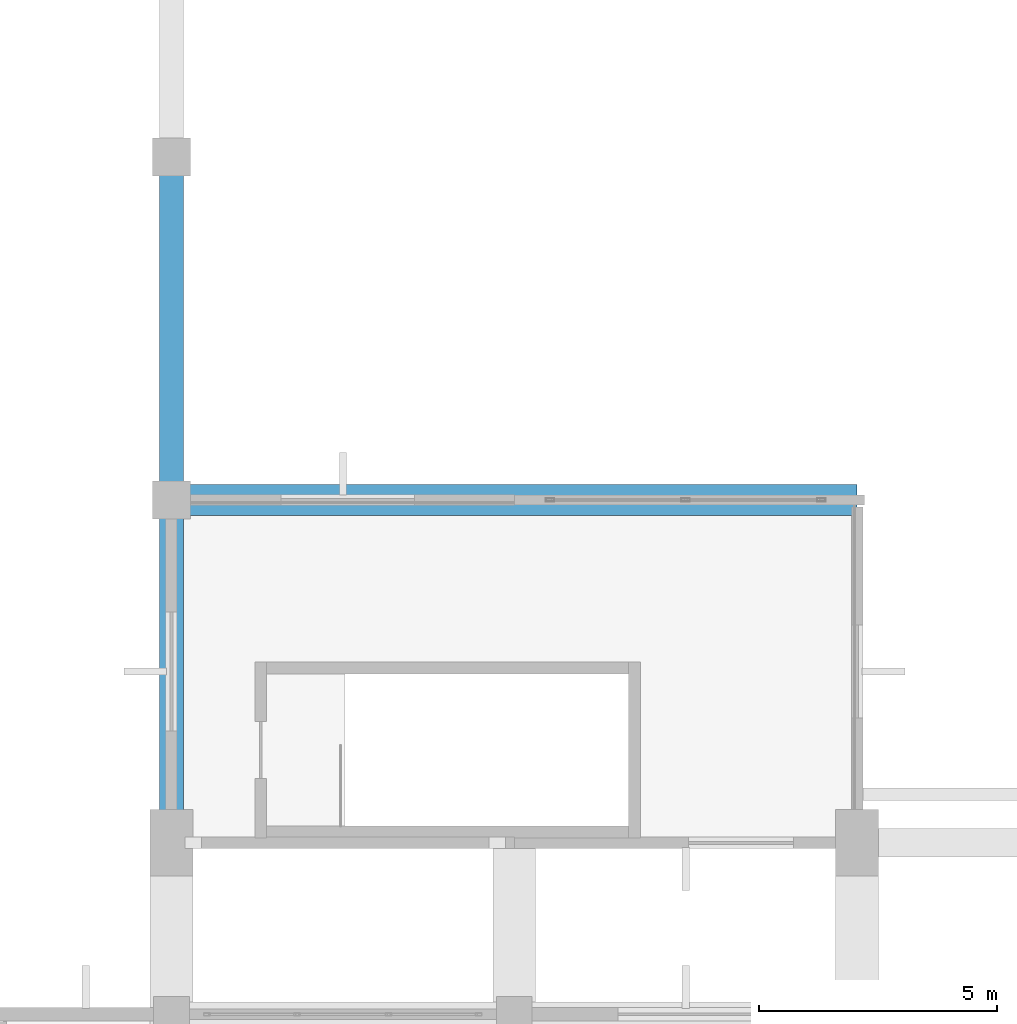
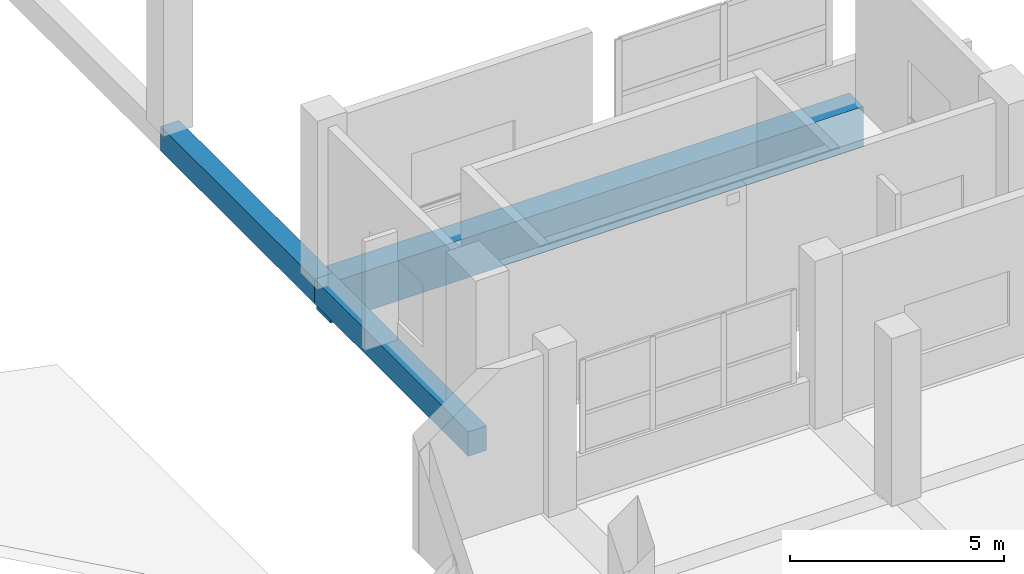
# One storey, part 59 of 140: 3 beams.
"""IFC4 building model written with IfcOpenShell, lengths in metres."""

from ifc_helpers import new_model, si_unit, direction, frame, origin, origin_2d, place, context, subcontext, project, spatial, rectangle, extrude, material, material_profile, profile_set, type_object, element, save


model = new_model("IFC4")

# Units and contexts
model_context = context("Model", 3, precision=1e-05, world=origin(), true_north=direction((0.0, 1.0)))
body_context = subcontext(model_context, "Body", "Model", "MODEL_VIEW")
ifc_project = project(units=[si_unit("LENGTHUNIT", "METRE"), si_unit("AREAUNIT", "SQUARE_METRE"), si_unit("VOLUMEUNIT", "CUBIC_METRE"), si_unit("PLANEANGLEUNIT", "RADIAN"), si_unit("MASSUNIT", "GRAM", prefix="KILO")], contexts=[model_context])

# Site, building, storey
site_placement = place(None, origin())
site = spatial("IfcSite", under=ifc_project, at=site_placement, CompositionType="ELEMENT")
building_placement = place(site_placement, origin())
building = spatial("IfcBuilding", under=site, at=building_placement, Name="Seraya Terrace Polytechnic", CompositionType="ELEMENT")
storey_placement = place(building_placement, frame((0.0, 0.0, 9.60009765625)))
storey = spatial("IfcBuildingStorey", under=building, at=storey_placement, Name="L02", CompositionType="ELEMENT", Elevation=9.60009765625)

# Beams
ifc_material = material(Name="Concrete C40/50", Category="concrete")
ifc_material_profile_1 = material_profile(ifc_material, rectangle(XDim=0.64990234375, YDim=1.14990234375, at=origin_2d()), Name="RC 650x1150")
ifc_profile_set_1 = profile_set([ifc_material_profile_1], Name="Concrete C40/50")
beam_type_1 = type_object("IfcBeamType", Name="BG-02", PredefinedType="USERDEFINED", material=ifc_profile_set_1)
beam_1_placement = place(storey_placement, frame((14.39990234375, 86.39990234375, -0.5751953125), z_axis=(1.0, 0.0, 0.0), x_axis=(0.0, 1.0, 0.0)))
element("IfcBeam", 1, at=beam_1_placement, inside=storey, type_object=beam_type_1, Name="Beam BG-02 L02 X (14.4..28.8, 86.4)", ObjectType="GIRDER", PredefinedType="USERDEFINED", context=body_context, shape_type="SweptSolid", body=[
    extrude(rectangle(XDim=0.64990234375, YDim=1.14990234375, at=origin_2d()), origin(), (0.0, 0.0, 1.0), 14.400146484375),
])
ifc_material_profile_2 = material_profile(ifc_material, rectangle(XDim=0.5, YDim=0.699951171875, at=origin_2d()), Name="RC 500x700")
ifc_profile_set_2 = profile_set([ifc_material_profile_2], Name="Concrete C40/50")
beam_type_2 = type_object("IfcBeamType", Name="BM-07", PredefinedType="BEAM", material=ifc_profile_set_2)
beam_2_placement = place(storey_placement, frame((14.39990234375, 79.199951171875, -0.35009765625), z_axis=(0.0, 1.0, 0.0), x_axis=(-1.0, 0.0, 0.0)))
element("IfcBeam", 2, at=beam_2_placement, inside=storey, type_object=beam_type_2, Name="Beam BM-07 L02 Y (14.4, 79.2..86.4)", PredefinedType="BEAM", context=body_context, shape_type="SweptSolid", body=[
    extrude(rectangle(XDim=0.5, YDim=0.699951171875, at=origin_2d()), origin(), (0.0, 0.0, 1.0), 7.199951171875),
])
beam_3_placement = place(storey_placement, frame((14.39990234375, 86.39990234375, -0.35009765625), z_axis=(0.0, 1.0, 0.0), x_axis=(-1.0, 0.0, 0.0)))
element("IfcBeam", 3, at=beam_3_placement, inside=storey, type_object=beam_type_2, Name="Beam BM-07 L02 Y (14.4, 86.4..93.6)", PredefinedType="BEAM", context=body_context, shape_type="SweptSolid", body=[
    extrude(rectangle(XDim=0.5, YDim=0.699951171875, at=origin_2d()), origin(), (0.0, 0.0, 1.0), 7.2001953125),
])

save(model, "model.ifc")
